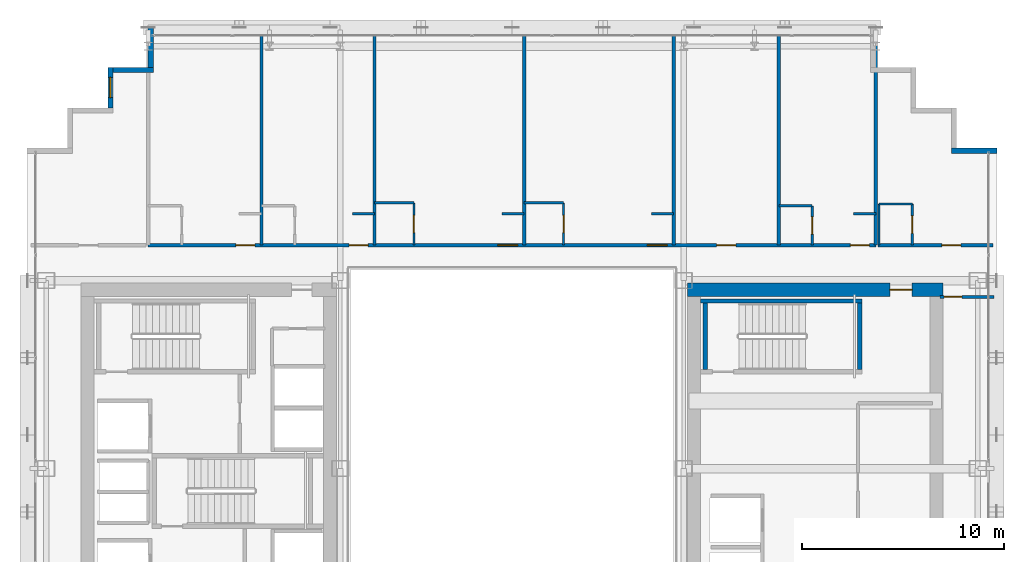
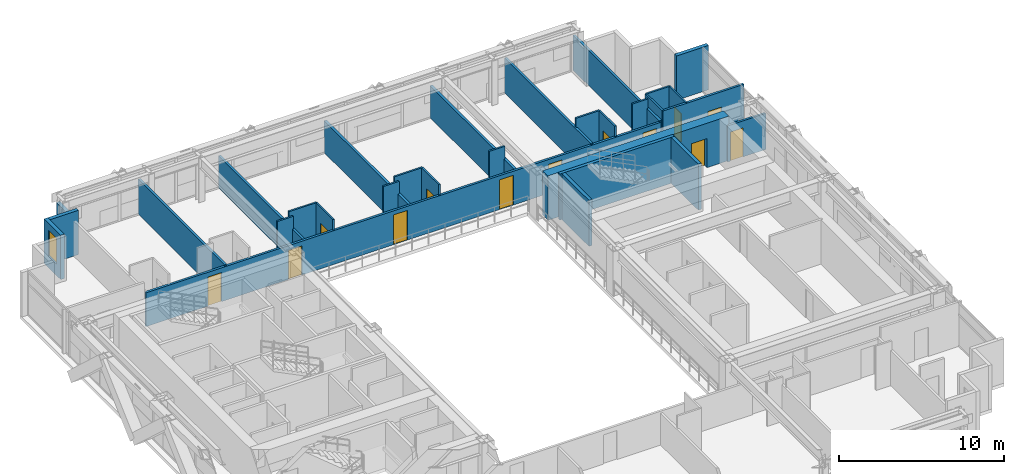
# One storey, part 31 of 36: 30 walls, 13 doors, 1 window, 14 openings.
"""IFC4 building model written with IfcOpenShell, lengths in metres."""

from ifc_helpers import new_model, si_unit, direction, frame, frame_2d, origin, place, context, subcontext, project, spatial, rectangle, extrude, source, transform, mapped, material, layer, layer_set, type_object, element, fill, save


model = new_model("IFC4")

# Units and contexts
model_context = context("Model", 3, precision=1e-05, world=origin(), true_north=direction((0.0, 1.0)))
body_context = subcontext(model_context, "Body", "Model", "MODEL_VIEW")
ifc_project = project(units=[si_unit("LENGTHUNIT", "METRE"), si_unit("AREAUNIT", "SQUARE_METRE"), si_unit("VOLUMEUNIT", "CUBIC_METRE"), si_unit("PLANEANGLEUNIT", "RADIAN"), si_unit("MASSUNIT", "GRAM", prefix="KILO")], contexts=[model_context])

# Site, building, storey
site_placement = place(None, origin())
site = spatial("IfcSite", under=ifc_project, at=site_placement, CompositionType="ELEMENT")
building_placement = place(site_placement, origin())
building = spatial("IfcBuilding", under=site, at=building_placement, Name="Ocotamira Hotel", CompositionType="ELEMENT")
storey_placement = place(building_placement, frame((0.0, 0.0, 147.60009765625)))
storey = spatial("IfcBuildingStorey", under=building, at=storey_placement, Name="L37", CompositionType="ELEMENT", Elevation=147.60009765625)

# Wall, opening, door
ifc_material_1 = material(Name="Concrete C60/75", Category="concrete")
ifc_layer_1 = layer(ifc_material_1, 0.64990234375)
ifc_layer_set_1 = layer_set([ifc_layer_1], Name="Concrete C60/75")
wall_type_1 = type_object("IfcWallType", Name="WL-CORE-650", PredefinedType="SHEAR", material=ifc_layer_set_1)
wall_1_placement = place(storey_placement, frame((40.675048828125, 37.0, 0.0), z_axis=(0.0, 0.0, 1.0), x_axis=(1.0, 0.0, 0.0)))
wall_1 = element("IfcWall", 1, at=wall_1_placement, inside=storey, type_object=wall_type_1, Name="L37 Shear Core Wall ECORE-N", PredefinedType="SHEAR", context=body_context, shape_type="SweptSolid", body=[
    extrude(rectangle(XDim=12.64990234375, YDim=0.64990234375, at=frame_2d((6.324951171875, 0.0))), origin(), (0.0, 0.0, 1.0), 3.27978515625),
])
opening_1_placement = place(wall_1_placement, frame((10.02490234375, 0.0, 0.0)))
opening_1 = element("IfcOpeningElement", 2, at=opening_1_placement, cuts=wall_1, Name="Opening D-FR1", PredefinedType="OPENING", context=body_context, shape_type="SweptSolid", body=[
    extrude(rectangle(XDim=1.10009765625, YDim=2.14990234375, at=frame_2d((0.550048828125, 1.074951171875))), frame((0.0, 0.3349609375, 0.0), z_axis=(0.0, -1.0, 0.0), x_axis=(1.0, 0.0, 0.0)), (0.0, 0.0, 1.0), 0.669921875),
])
ifc_material_2 = material(Name="Fire-rated acoustic timber-veneer door", Category="wood")
door_type_1 = type_object("IfcDoorType", Name="DR-FIRE-1100", OperationType="NOTDEFINED", PredefinedType="DOOR", material=ifc_material_2)
shared_shape_1 = source(origin(), body_context, "Body", "SweptSolid", [
    extrude(rectangle(XDim=1.10009765625, YDim=2.14990234375, at=frame_2d((0.550048828125, 1.074951171875))), frame((0.0, 0.02490234375, 0.0), z_axis=(0.0, -1.0, 0.0), x_axis=(1.0, 0.0, 0.0)), (0.0, 0.0, 1.0), 0.050048828125),
])
door_1_placement = place(opening_1_placement, origin())
door_1 = element("IfcDoor", 3, at=door_1_placement, inside=storey, type_object=door_type_1, Name="L37 Door ID-L37-ELOB-N-D [ID-L37-ELOB-N-D]", OperationType="SINGLE_SWING_LEFT", OverallHeight=2.14990234375, OverallWidth=1.10009765625, PredefinedType="DOOR", context=body_context, shape_type="MappedRepresentation", body=[
    mapped(shared_shape_1, transform((0.0, 0.0, 0.0), scale=1.0)),
])
fill(opening_1, door_1)

# Walls
ifc_material_3 = material(Name="Precast concrete C45/55", Category="concrete")
ifc_layer_2 = layer(ifc_material_3, 0.25)
ifc_layer_set_2 = layer_set([ifc_layer_2], Name="Precast concrete C45/55")
wall_type_2 = type_object("IfcWallType", Name="WL-EXT-SER-250", PredefinedType="SOLIDWALL", material=ifc_layer_set_2)
wall_2_placement = place(storey_placement, frame((56.0, 43.875, 0.0), z_axis=(0.0, 0.0, 1.0), x_axis=(-1.0, 0.0, 0.0)))
element("IfcWall", 4, at=wall_2_placement, inside=storey, type_object=wall_type_2, Name="L37 Serrated Corner Wall 07", PredefinedType="SOLIDWALL", context=body_context, shape_type="SweptSolid", body=[
    extrude(rectangle(XDim=2.25, YDim=0.25, at=frame_2d((1.125, 0.0))), origin(), (0.0, 0.0, 1.0), 3.27978515625),
])
wall_3_placement = place(storey_placement, frame((14.125, 50.0, 0.0), z_axis=(0.0, 0.0, 1.0), x_axis=(0.0, -1.0, 0.0)))
element("IfcWall", 5, at=wall_3_placement, inside=storey, type_object=wall_type_2, Name="L37 Serrated Corner Wall 13", PredefinedType="SOLIDWALL", context=body_context, shape_type="SweptSolid", body=[
    extrude(rectangle(XDim=2.0, YDim=0.25, at=frame_2d((1.0, 0.0))), origin(), (0.0, 0.0, 1.0), 2.5869140625),
])
wall_4_placement = place(storey_placement, frame((14.25, 47.875, 0.0), z_axis=(0.0, 0.0, 1.0), x_axis=(-1.0, 0.0, 0.0)))
element("IfcWall", 6, at=wall_4_placement, inside=storey, type_object=wall_type_2, Name="L37 Serrated Corner Wall 14", PredefinedType="SOLIDWALL", context=body_context, shape_type="SweptSolid", body=[
    extrude(rectangle(XDim=2.0, YDim=0.25, at=frame_2d((1.0, 0.0))), origin(), (0.0, 0.0, 1.0), 3.27978515625),
])

# Wall, opening, window
wall_5_placement = place(storey_placement, frame((12.125, 48.0, 0.0), z_axis=(0.0, 0.0, 1.0), x_axis=(0.0, -1.0, 0.0)))
wall_5 = element("IfcWall", 7, at=wall_5_placement, inside=storey, type_object=wall_type_2, Name="L37 Serrated Corner Wall 15", PredefinedType="SOLIDWALL", context=body_context, shape_type="SweptSolid", body=[
    extrude(rectangle(XDim=2.0, YDim=0.25, at=frame_2d((1.0, 0.0))), origin(), (0.0, 0.0, 1.0), 3.27978515625),
])
opening_2_placement = place(wall_5_placement, frame((0.5, 0.0, 0.85009765625)))
opening_2 = element("IfcOpeningElement", 8, at=opening_2_placement, cuts=wall_5, Name="Opening WN-2", PredefinedType="OPENING", context=body_context, shape_type="SweptSolid", body=[
    extrude(rectangle(XDim=1.0, YDim=1.89990234375, at=frame_2d((0.5, 0.949951171875))), frame((0.0, 0.135009765625, 0.0), z_axis=(0.0, -1.0, 0.0), x_axis=(1.0, 0.0, 0.0)), (0.0, 0.0, 1.0), 0.27001953125),
])
ifc_material_4 = material(Name="Double-silver low-E solar glass", Category="glass")
window_type = type_object("IfcWindowType", Name="WIN-SER-1100", PartitioningType="SINGLE_PANEL", PredefinedType="WINDOW", material=ifc_material_4)
shared_shape_2 = source(origin(), body_context, "Body", "SweptSolid", [
    extrude(rectangle(XDim=1.0, YDim=1.89990234375, at=frame_2d((0.5, 0.949951171875))), frame((0.0, 0.030029296875, 0.0), z_axis=(0.0, -1.0, 0.0), x_axis=(1.0, 0.0, 0.0)), (0.0, 0.0, 1.0), 0.06005859375),
])
window_placement = place(opening_2_placement, origin())
window = element("IfcWindow", 9, at=window_placement, inside=storey, type_object=window_type, Name="L37 Serrated Corner Window 15", OverallHeight=1.89990234375, OverallWidth=1.0, PartitioningType="SINGLE_PANEL", PredefinedType="WINDOW", context=body_context, shape_type="MappedRepresentation", body=[
    mapped(shared_shape_2, transform((0.0, 0.0, 0.0), scale=1.0)),
])
fill(opening_2, window)

# Wall, opening, door
ifc_material_5 = material(Name="Acoustic double-layer fire gypsum board partition", Category="gypsum")
ifc_layer_3 = layer(ifc_material_5, 0.159912109375)
ifc_layer_set_3 = layer_set([ifc_layer_3], Name="Acoustic double-layer fire gypsum board partition")
wall_type_3 = type_object("IfcWallType", Name="WL-FIRE-160", PredefinedType="PARTITIONING", material=ifc_layer_set_3)
wall_6_placement = place(storey_placement, frame((50.1201171875, 39.199951171875, 0.0), z_axis=(0.0, 0.0, 1.0), x_axis=(1.0, 0.0, 0.0)))
wall_6 = element("IfcWall", 10, at=wall_6_placement, inside=storey, type_object=wall_type_3, Name="L37 Interior Wall PW-L37-Z2E-CNE-CW", PredefinedType="PARTITIONING", context=body_context, shape_type="SweptSolid", body=[
    extrude(rectangle(XDim=5.679931640625, YDim=0.159912109375, at=frame_2d((2.83984375, 0.0))), origin(), (0.0, 0.0, 1.0), 3.27978515625),
])
opening_3_placement = place(wall_6_placement, frame((3.14990234375, 0.0, 0.0)))
opening_3 = element("IfcOpeningElement", 11, at=opening_3_placement, cuts=wall_6, Name="Opening D-GR1", PredefinedType="OPENING", context=body_context, shape_type="SweptSolid", body=[
    extrude(rectangle(XDim=0.93994140625, YDim=2.14990234375, at=frame_2d((0.469970703125, 1.074951171875))), frame((0.0, 0.08984375, 0.0), z_axis=(0.0, -1.0, 0.0), x_axis=(1.0, 0.0, 0.0)), (0.0, 0.0, 1.0), 0.179931640625),
])
ifc_material_6 = material(Name="Solid-core walnut suite entrance fire door", Category="wood")
door_type_2 = type_object("IfcDoorType", Name="DR-GUEST-940", OperationType="NOTDEFINED", PredefinedType="DOOR", material=ifc_material_6)
shared_shape_3 = source(origin(), body_context, "Body", "SweptSolid", [
    extrude(rectangle(XDim=0.93994140625, YDim=2.14990234375, at=frame_2d((0.469970703125, 1.074951171875))), frame((0.0, 0.02490234375, 0.0), z_axis=(0.0, -1.0, 0.0), x_axis=(1.0, 0.0, 0.0)), (0.0, 0.0, 1.0), 0.050048828125),
])
door_2_placement = place(opening_3_placement, origin())
door_2 = element("IfcDoor", 12, at=door_2_placement, inside=storey, type_object=door_type_2, Name="L37 Door ID-L37-Z2E-CNE-CD [ID-L37-Z2E-CNE-CD]", OperationType="SINGLE_SWING_RIGHT", OverallHeight=2.14990234375, OverallWidth=0.93994140625, PredefinedType="DOOR", context=body_context, shape_type="MappedRepresentation", body=[
    mapped(shared_shape_3, transform((0.0, 0.0, 0.0), scale=1.0)),
])
fill(opening_3, door_2)

# Wall, openings, doors
wall_7_placement = place(storey_placement, frame((14.0, 39.199951171875, 0.0), z_axis=(0.0, 0.0, 1.0), x_axis=(1.0, 0.0, 0.0)))
wall_7 = element("IfcWall", 13, at=wall_7_placement, inside=storey, type_object=wall_type_3, Name="L37 Interior Wall PW-L37-Z2EN-CORRW", PredefinedType="PARTITIONING", context=body_context, shape_type="SweptSolid", body=[
    extrude(rectangle(XDim=36.0, YDim=0.159912109375, at=frame_2d((18.0, 0.0))), origin(), (0.0, 0.0, 1.0), 2.5009765625),
])
opening_4_placement = place(wall_7_placement, frame((4.340087890625, 0.0, 0.0)))
opening_4 = element("IfcOpeningElement", 14, at=opening_4_placement, cuts=wall_7, Name="Opening D-GR1", PredefinedType="OPENING", context=body_context, shape_type="SweptSolid", body=[
    extrude(rectangle(XDim=0.93994140625, YDim=2.14990234375, at=frame_2d((0.469970703125, 1.074951171875))), frame((0.0, 0.08984375, 0.0), z_axis=(0.0, -1.0, 0.0), x_axis=(1.0, 0.0, 0.0)), (0.0, 0.0, 1.0), 0.179931640625),
])
opening_5_placement = place(wall_7_placement, frame((9.93994140625, 0.0, 0.0)))
opening_5 = element("IfcOpeningElement", 15, at=opening_5_placement, cuts=wall_7, Name="Opening D-GR1", PredefinedType="OPENING", context=body_context, shape_type="SweptSolid", body=[
    extrude(rectangle(XDim=0.93994140625, YDim=2.14990234375, at=frame_2d((0.469970703125, 1.074951171875))), frame((0.0, 0.08984375, 0.0), z_axis=(0.0, -1.0, 0.0), x_axis=(1.0, 0.0, 0.0)), (0.0, 0.0, 1.0), 0.179931640625),
])
opening_6_placement = place(wall_7_placement, frame((17.300048828125, 0.0, 0.0)))
opening_6 = element("IfcOpeningElement", 16, at=opening_6_placement, cuts=wall_7, Name="Opening D-GR2", PredefinedType="OPENING", context=body_context, shape_type="SweptSolid", body=[
    extrude(rectangle(XDim=0.97998046875, YDim=2.199951171875, at=frame_2d((0.489990234375, 1.10009765625))), frame((0.0, 0.08984375, 0.0), z_axis=(0.0, -1.0, 0.0), x_axis=(1.0, 0.0, 0.0)), (0.0, 0.0, 1.0), 0.179931640625),
])
opening_7_placement = place(wall_7_placement, frame((24.699951171875, 0.0, 0.0)))
opening_7 = element("IfcOpeningElement", 17, at=opening_7_placement, cuts=wall_7, Name="Opening D-GR2", PredefinedType="OPENING", context=body_context, shape_type="SweptSolid", body=[
    extrude(rectangle(XDim=0.97998046875, YDim=2.199951171875, at=frame_2d((0.489990234375, 1.10009765625))), frame((0.0, 0.08984375, 0.0), z_axis=(0.0, -1.0, 0.0), x_axis=(1.0, 0.0, 0.0)), (0.0, 0.0, 1.0), 0.179931640625),
])
opening_8_placement = place(wall_7_placement, frame((28.1201171875, 0.0, 0.0)))
opening_8 = element("IfcOpeningElement", 18, at=opening_8_placement, cuts=wall_7, Name="Opening D-SV4", PredefinedType="OPENING", context=body_context, shape_type="SweptSolid", body=[
    extrude(rectangle(XDim=0.9599609375, YDim=2.14990234375, at=frame_2d((0.47998046875, 1.074951171875))), frame((0.0, 0.08984375, 0.0), z_axis=(0.0, -1.0, 0.0), x_axis=(1.0, 0.0, 0.0)), (0.0, 0.0, 1.0), 0.179931640625),
])
opening_9_placement = place(wall_7_placement, frame((34.739990234375, 0.0, 0.0)))
opening_9 = element("IfcOpeningElement", 19, at=opening_9_placement, cuts=wall_7, Name="Opening D-GR1", PredefinedType="OPENING", context=body_context, shape_type="SweptSolid", body=[
    extrude(rectangle(XDim=0.93994140625, YDim=2.14990234375, at=frame_2d((0.469970703125, 1.074951171875))), frame((0.0, 0.08984375, 0.0), z_axis=(0.0, -1.0, 0.0), x_axis=(1.0, 0.0, 0.0)), (0.0, 0.0, 1.0), 0.179931640625),
])
ifc_material_7 = material(Name="Fire-rated accessible walnut salon door", Category="wood")
door_type_3 = type_object("IfcDoorType", Name="DR-SERV-960", OperationType="NOTDEFINED", PredefinedType="DOOR", material=ifc_material_7)
shared_shape_4 = source(origin(), body_context, "Body", "SweptSolid", [
    extrude(rectangle(XDim=0.9599609375, YDim=2.14990234375, at=frame_2d((0.47998046875, 1.074951171875))), frame((0.0, 0.02490234375, 0.0), z_axis=(0.0, -1.0, 0.0), x_axis=(1.0, 0.0, 0.0)), (0.0, 0.0, 1.0), 0.050048828125),
])
door_3_placement = place(opening_8_placement, origin())
door_3 = element("IfcDoor", 20, at=door_3_placement, inside=storey, type_object=door_type_3, Name="L37 Door ID-L37-Z2EN-AMD5 [ID-L37-Z2EN-AMD5]", OperationType="SINGLE_SWING_LEFT", OverallHeight=2.14990234375, OverallWidth=0.9599609375, PredefinedType="DOOR", context=body_context, shape_type="MappedRepresentation", body=[
    mapped(shared_shape_4, transform((0.0, 0.0, 0.0), scale=1.0)),
])
fill(opening_8, door_3)
door_4_placement = place(opening_4_placement, origin())
door_4 = element("IfcDoor", 21, at=door_4_placement, inside=storey, type_object=door_type_2, Name="L37 Door ID-L37-Z2EN-RMD1 [ID-L37-Z2EN-RMD1]", OperationType="SINGLE_SWING_LEFT", OverallHeight=2.14990234375, OverallWidth=0.93994140625, PredefinedType="DOOR", context=body_context, shape_type="MappedRepresentation", body=[
    mapped(shared_shape_3, transform((0.0, 0.0, 0.0), scale=1.0)),
])
fill(opening_4, door_4)
door_5_placement = place(opening_5_placement, origin())
door_5 = element("IfcDoor", 22, at=door_5_placement, inside=storey, type_object=door_type_2, Name="L37 Door ID-L37-Z2EN-RMD2 [ID-L37-Z2EN-RMD2]", OperationType="SINGLE_SWING_RIGHT", OverallHeight=2.14990234375, OverallWidth=0.93994140625, PredefinedType="DOOR", context=body_context, shape_type="MappedRepresentation", body=[
    mapped(shared_shape_3, transform((0.0, 0.0, 0.0), scale=1.0)),
])
fill(opening_5, door_5)
door_6_placement = place(opening_9_placement, origin())
door_6 = element("IfcDoor", 23, at=door_6_placement, inside=storey, type_object=door_type_2, Name="L37 Door ID-L37-Z2EN-RMD6 [ID-L37-Z2EN-RMD6]", OperationType="SINGLE_SWING_RIGHT", OverallHeight=2.14990234375, OverallWidth=0.93994140625, PredefinedType="DOOR", context=body_context, shape_type="MappedRepresentation", body=[
    mapped(shared_shape_3, transform((0.0, 0.0, 0.0), scale=1.0)),
])
fill(opening_9, door_6)
ifc_material_8 = material(Name="Solid-core walnut grand-suite entrance fire door", Category="wood")
door_type_4 = type_object("IfcDoorType", Name="DR-GUEST-980", OperationType="NOTDEFINED", PredefinedType="DOOR", material=ifc_material_8)
shared_shape_5 = source(origin(), body_context, "Body", "SweptSolid", [
    extrude(rectangle(XDim=0.97998046875, YDim=2.199951171875, at=frame_2d((0.489990234375, 1.10009765625))), frame((0.0, 0.02490234375, 0.0), z_axis=(0.0, -1.0, 0.0), x_axis=(1.0, 0.0, 0.0)), (0.0, 0.0, 1.0), 0.050048828125),
])
door_7_placement = place(opening_6_placement, origin())
door_7 = element("IfcDoor", 24, at=door_7_placement, inside=storey, type_object=door_type_4, Name="L37 Door ID-L37-Z2EN-RMD3 [ID-L37-Z2EN-RMD3]", OperationType="SINGLE_SWING_LEFT", OverallHeight=2.199951171875, OverallWidth=0.97998046875, PredefinedType="DOOR", context=body_context, shape_type="MappedRepresentation", body=[
    mapped(shared_shape_5, transform((0.0, 0.0, 0.0), scale=1.0)),
])
fill(opening_6, door_7)
door_8_placement = place(opening_7_placement, origin())
door_8 = element("IfcDoor", 25, at=door_8_placement, inside=storey, type_object=door_type_4, Name="L37 Door ID-L37-Z2EN-RMD4 [ID-L37-Z2EN-RMD4]", OperationType="SINGLE_SWING_RIGHT", OverallHeight=2.199951171875, OverallWidth=0.97998046875, PredefinedType="DOOR", context=body_context, shape_type="MappedRepresentation", body=[
    mapped(shared_shape_5, transform((0.0, 0.0, 0.0), scale=1.0)),
])
fill(opening_7, door_8)

# Wall, opening, door
ifc_material_9 = material(Name="Moisture-resistant en-suite tile and gypsum partition", Category="gypsum")
ifc_layer_4 = layer(ifc_material_9, 0.1201171875)
ifc_layer_set_4 = layer_set([ifc_layer_4], Name="Moisture-resistant en-suite tile and gypsum partition")
wall_type_4 = type_object("IfcWallType", Name="WL-PART-120", PredefinedType="PARTITIONING", material=ifc_layer_set_4)
wall_8_placement = place(storey_placement, frame((51.81005859375, 39.199951171875, 0.0), z_axis=(0.0, 0.0, 1.0), x_axis=(0.0, 1.0, 0.0)))
wall_8 = element("IfcWall", 26, at=wall_8_placement, inside=storey, type_object=wall_type_4, Name="L37 Interior Wall PW-L37-Z2E-CNE-BE", PredefinedType="PARTITIONING", context=body_context, shape_type="SweptSolid", body=[
    extrude(rectangle(XDim=2.0400390625, YDim=0.1201171875, at=frame_2d((1.02001953125, 0.0))), origin(), (0.0, 0.0, 1.0), 3.27978515625),
])
opening_10_placement = place(wall_8_placement, frame((0.590087890625, 0.0, 0.0)))
opening_10 = element("IfcOpeningElement", 27, at=opening_10_placement, cuts=wall_8, Name="Opening D-BA1", PredefinedType="OPENING", context=body_context, shape_type="SweptSolid", body=[
    extrude(rectangle(XDim=0.860107421875, YDim=2.10009765625, at=frame_2d((0.43017578125, 1.050048828125))), frame((0.0, 0.070068359375, 0.0), z_axis=(0.0, -1.0, 0.0), x_axis=(1.0, 0.0, 0.0)), (0.0, 0.0, 1.0), 0.14013671875),
])
ifc_material_10 = material(Name="Moisture-sealed en-suite timber door", Category="wood")
door_type_5 = type_object("IfcDoorType", Name="DR-BATH-860", OperationType="NOTDEFINED", PredefinedType="DOOR", material=ifc_material_10)
shared_shape_6 = source(origin(), body_context, "Body", "SweptSolid", [
    extrude(rectangle(XDim=0.860107421875, YDim=2.10009765625, at=frame_2d((0.43017578125, 1.050048828125))), frame((0.0, 0.02490234375, 0.0), z_axis=(0.0, -1.0, 0.0), x_axis=(1.0, 0.0, 0.0)), (0.0, 0.0, 1.0), 0.050048828125),
])
door_9_placement = place(opening_10_placement, origin())
door_9 = element("IfcDoor", 28, at=door_9_placement, inside=storey, type_object=door_type_5, Name="L37 Door ID-L37-Z2E-CNE-BD [ID-L37-Z2E-CNE-BD]", OperationType="SINGLE_SWING_LEFT", OverallHeight=2.10009765625, OverallWidth=0.860107421875, PredefinedType="DOOR", context=body_context, shape_type="MappedRepresentation", body=[
    mapped(shared_shape_6, transform((0.0, 0.0, 0.0), scale=1.0)),
])
fill(opening_10, door_9)

# Walls
wall_9_placement = place(storey_placement, frame((50.159912109375, 39.199951171875, 0.0), z_axis=(0.0, 0.0, 1.0), x_axis=(0.0, 1.0, 0.0)))
element("IfcWall", 29, at=wall_9_placement, inside=storey, type_object=wall_type_4, Name="L37 Interior Wall PW-L37-Z2E-CNE-BW", PredefinedType="PARTITIONING", context=body_context, shape_type="SweptSolid", body=[
    extrude(rectangle(XDim=2.0400390625, YDim=0.1201171875, at=frame_2d((1.02001953125, 0.0))), origin(), (0.0, 0.0, 1.0), 3.27978515625),
])
wall_10_placement = place(storey_placement, frame((50.159912109375, 41.239990234375, 0.0), z_axis=(0.0, 0.0, 1.0), x_axis=(1.0, 0.0, 0.0)))
element("IfcWall", 30, at=wall_10_placement, inside=storey, type_object=wall_type_4, Name="L37 Interior Wall PW-L37-Z2E-CNE-BH", PredefinedType="PARTITIONING", context=body_context, shape_type="SweptSolid", body=[
    extrude(rectangle(XDim=1.650146484375, YDim=0.1201171875, at=frame_2d((0.8251953125, 0.0))), origin(), (0.0, 0.0, 1.0), 3.27978515625),
])
wall_11_placement = place(storey_placement, frame((24.10009765625, 40.75, 0.0), z_axis=(0.0, 0.0, 1.0), x_axis=(1.0, 0.0, 0.0)))
element("IfcWall", 31, at=wall_11_placement, inside=storey, type_object=wall_type_4, Name="L37 Interior Wall PW-L37-Z2EN-DRN2", PredefinedType="PARTITIONING", context=body_context, shape_type="SweptSolid", body=[
    extrude(rectangle(XDim=1.099853515625, YDim=0.1201171875, at=frame_2d((0.5498046875, 0.0))), origin(), (0.0, 0.0, 1.0), 3.27978515625),
])

# Wall, opening, door
wall_12_placement = place(storey_placement, frame((27.14990234375, 39.199951171875, 0.0), z_axis=(0.0, 0.0, 1.0), x_axis=(0.0, 1.0, 0.0)))
wall_12 = element("IfcWall", 32, at=wall_12_placement, inside=storey, type_object=wall_type_4, Name="L37 Interior Wall PW-L37-Z2EN-BAE3", PredefinedType="PARTITIONING", context=body_context, shape_type="SweptSolid", body=[
    extrude(rectangle(XDim=2.10009765625, YDim=0.1201171875, at=frame_2d((1.050048828125, 0.0))), origin(), (0.0, 0.0, 1.0), 3.27978515625),
])
opening_11_placement = place(wall_12_placement, frame((0.6201171875, 0.0, 0.0)))
opening_11 = element("IfcOpeningElement", 33, at=opening_11_placement, cuts=wall_12, Name="Opening D-BA1", PredefinedType="OPENING", context=body_context, shape_type="SweptSolid", body=[
    extrude(rectangle(XDim=0.860107421875, YDim=2.10009765625, at=frame_2d((0.43017578125, 1.050048828125))), frame((0.0, 0.070068359375, 0.0), z_axis=(0.0, -1.0, 0.0), x_axis=(1.0, 0.0, 0.0)), (0.0, 0.0, 1.0), 0.14013671875),
])
door_10_placement = place(opening_11_placement, origin())
door_10 = element("IfcDoor", 34, at=door_10_placement, inside=storey, type_object=door_type_5, Name="L37 Door ID-L37-Z2EN-BAD3 [ID-L37-Z2EN-BAD3]", OperationType="SINGLE_SWING_RIGHT", OverallHeight=2.10009765625, OverallWidth=0.860107421875, PredefinedType="DOOR", context=body_context, shape_type="MappedRepresentation", body=[
    mapped(shared_shape_6, transform((0.0, 0.0, 0.0), scale=1.0)),
])
fill(opening_11, door_10)

# Walls
wall_13_placement = place(storey_placement, frame((25.199951171875, 41.300048828125, 0.0), z_axis=(0.0, 0.0, 1.0), x_axis=(1.0, 0.0, 0.0)))
element("IfcWall", 35, at=wall_13_placement, inside=storey, type_object=wall_type_4, Name="L37 Interior Wall PW-L37-Z2EN-BAN3", PredefinedType="PARTITIONING", context=body_context, shape_type="SweptSolid", body=[
    extrude(rectangle(XDim=1.949951171875, YDim=0.1201171875, at=frame_2d((0.97509765625, 0.0))), origin(), (0.0, 0.0, 1.0), 3.27978515625),
])
wall_14_placement = place(storey_placement, frame((31.5, 40.75, 0.0), z_axis=(0.0, 0.0, 1.0), x_axis=(1.0, 0.0, 0.0)))
element("IfcWall", 36, at=wall_14_placement, inside=storey, type_object=wall_type_4, Name="L37 Interior Wall PW-L37-Z2EN-DRN3", PredefinedType="PARTITIONING", context=body_context, shape_type="SweptSolid", body=[
    extrude(rectangle(XDim=1.10009765625, YDim=0.1201171875, at=frame_2d((0.550048828125, 0.0))), origin(), (0.0, 0.0, 1.0), 3.27978515625),
])

# Wall, opening, door
wall_15_placement = place(storey_placement, frame((34.550048828125, 39.199951171875, 0.0), z_axis=(0.0, 0.0, 1.0), x_axis=(0.0, 1.0, 0.0)))
wall_15 = element("IfcWall", 37, at=wall_15_placement, inside=storey, type_object=wall_type_4, Name="L37 Interior Wall PW-L37-Z2EN-BAE4", PredefinedType="PARTITIONING", context=body_context, shape_type="SweptSolid", body=[
    extrude(rectangle(XDim=2.10009765625, YDim=0.1201171875, at=frame_2d((1.050048828125, 0.0))), origin(), (0.0, 0.0, 1.0), 3.27978515625),
])
opening_12_placement = place(wall_15_placement, frame((0.6201171875, 0.0, 0.0)))
opening_12 = element("IfcOpeningElement", 38, at=opening_12_placement, cuts=wall_15, Name="Opening D-BA1", PredefinedType="OPENING", context=body_context, shape_type="SweptSolid", body=[
    extrude(rectangle(XDim=0.860107421875, YDim=2.10009765625, at=frame_2d((0.43017578125, 1.050048828125))), frame((0.0, 0.070068359375, 0.0), z_axis=(0.0, -1.0, 0.0), x_axis=(1.0, 0.0, 0.0)), (0.0, 0.0, 1.0), 0.14013671875),
])
door_11_placement = place(opening_12_placement, origin())
door_11 = element("IfcDoor", 39, at=door_11_placement, inside=storey, type_object=door_type_5, Name="L37 Door ID-L37-Z2EN-BAD4 [ID-L37-Z2EN-BAD4]", OperationType="SINGLE_SWING_LEFT", OverallHeight=2.10009765625, OverallWidth=0.860107421875, PredefinedType="DOOR", context=body_context, shape_type="MappedRepresentation", body=[
    mapped(shared_shape_6, transform((0.0, 0.0, 0.0), scale=1.0)),
])
fill(opening_12, door_11)

# Walls
wall_16_placement = place(storey_placement, frame((32.60009765625, 41.300048828125, 0.0), z_axis=(0.0, 0.0, 1.0), x_axis=(1.0, 0.0, 0.0)))
element("IfcWall", 40, at=wall_16_placement, inside=storey, type_object=wall_type_4, Name="L37 Interior Wall PW-L37-Z2EN-BAN4", PredefinedType="PARTITIONING", context=body_context, shape_type="SweptSolid", body=[
    extrude(rectangle(XDim=1.949951171875, YDim=0.1201171875, at=frame_2d((0.97509765625, 0.0))), origin(), (0.0, 0.0, 1.0), 3.27978515625),
])
wall_17_placement = place(storey_placement, frame((38.89990234375, 40.75, 0.0), z_axis=(0.0, 0.0, 1.0), x_axis=(1.0, 0.0, 0.0)))
element("IfcWall", 41, at=wall_17_placement, inside=storey, type_object=wall_type_4, Name="L37 Interior Wall PW-L37-Z2EN-DRN4", PredefinedType="PARTITIONING", context=body_context, shape_type="SweptSolid", body=[
    extrude(rectangle(XDim=1.10009765625, YDim=0.1201171875, at=frame_2d((0.550048828125, 0.0))), origin(), (0.0, 0.0, 1.0), 3.27978515625),
])

# Wall, opening, door
wall_18_placement = place(storey_placement, frame((46.85009765625, 39.199951171875, 0.0), z_axis=(0.0, 0.0, 1.0), x_axis=(0.0, 1.0, 0.0)))
wall_18 = element("IfcWall", 42, at=wall_18_placement, inside=storey, type_object=wall_type_4, Name="L37 Interior Wall PW-L37-Z2EN-BAE6", PredefinedType="PARTITIONING", context=body_context, shape_type="SweptSolid", body=[
    extrude(rectangle(XDim=1.949951171875, YDim=0.1201171875, at=frame_2d((0.97509765625, 0.0))), origin(), (0.0, 0.0, 1.0), 3.27978515625),
])
opening_13_placement = place(wall_18_placement, frame((0.544921875, 0.0, 0.0)))
opening_13 = element("IfcOpeningElement", 43, at=opening_13_placement, cuts=wall_18, Name="Opening D-BA1", PredefinedType="OPENING", context=body_context, shape_type="SweptSolid", body=[
    extrude(rectangle(XDim=0.860107421875, YDim=2.10009765625, at=frame_2d((0.43017578125, 1.050048828125))), frame((0.0, 0.070068359375, 0.0), z_axis=(0.0, -1.0, 0.0), x_axis=(1.0, 0.0, 0.0)), (0.0, 0.0, 1.0), 0.14013671875),
])
door_12_placement = place(opening_13_placement, origin())
door_12 = element("IfcDoor", 44, at=door_12_placement, inside=storey, type_object=door_type_5, Name="L37 Door ID-L37-Z2EN-BAD6 [ID-L37-Z2EN-BAD6]", OperationType="SINGLE_SWING_LEFT", OverallHeight=2.10009765625, OverallWidth=0.860107421875, PredefinedType="DOOR", context=body_context, shape_type="MappedRepresentation", body=[
    mapped(shared_shape_6, transform((0.0, 0.0, 0.0), scale=1.0)),
])
fill(opening_13, door_12)

# Walls
wall_19_placement = place(storey_placement, frame((45.199951171875, 41.14990234375, 0.0), z_axis=(0.0, 0.0, 1.0), x_axis=(1.0, 0.0, 0.0)))
element("IfcWall", 45, at=wall_19_placement, inside=storey, type_object=wall_type_4, Name="L37 Interior Wall PW-L37-Z2EN-BAN6", PredefinedType="PARTITIONING", context=body_context, shape_type="SweptSolid", body=[
    extrude(rectangle(XDim=1.650146484375, YDim=0.1201171875, at=frame_2d((0.8251953125, 0.0))), origin(), (0.0, 0.0, 1.0), 3.27978515625),
])
wall_20_placement = place(storey_placement, frame((48.89990234375, 40.75, 0.0), z_axis=(0.0, 0.0, 1.0), x_axis=(1.0, 0.0, 0.0)))
element("IfcWall", 46, at=wall_20_placement, inside=storey, type_object=wall_type_4, Name="L37 Interior Wall PW-L37-Z2EN-DRN6", PredefinedType="PARTITIONING", context=body_context, shape_type="SweptSolid", body=[
    extrude(rectangle(XDim=1.10009765625, YDim=0.1201171875, at=frame_2d((0.550048828125, 0.0))), origin(), (0.0, 0.0, 1.0), 3.27978515625),
])

# Wall, opening, door
ifc_material_11 = material(Name="Acoustic hospitality gypsum board partition", Category="gypsum")
ifc_layer_5 = layer(ifc_material_11, 0.14990234375)
ifc_layer_set_5 = layer_set([ifc_layer_5], Name="Acoustic hospitality gypsum board partition")
wall_type_5 = type_object("IfcWallType", Name="WL-PART-150", PredefinedType="PARTITIONING", material=ifc_layer_set_5)
wall_21_placement = place(storey_placement, frame((53.179931640625, 36.639892578125, 0.0), z_axis=(0.0, 0.0, 1.0), x_axis=(1.0, 0.0, 0.0)))
wall_21 = element("IfcWall", 47, at=wall_21_placement, inside=storey, type_object=wall_type_5, Name="L37 Interior Wall PW-L37-Z2E-EF-WN", PredefinedType="PARTITIONING", context=body_context, shape_type="SweptSolid", body=[
    extrude(rectangle(XDim=2.66015625, YDim=0.14990234375, at=frame_2d((1.330078125, 0.0))), origin(), (0.0, 0.0, 1.0), 2.662841796875),
])
opening_14_placement = place(wall_21_placement, frame((0.199951171875, 0.0, 0.0)))
opening_14 = element("IfcOpeningElement", 48, at=opening_14_placement, cuts=wall_21, Name="Opening D-SV2", PredefinedType="OPENING", context=body_context, shape_type="SweptSolid", body=[
    extrude(rectangle(XDim=0.8798828125, YDim=2.14990234375, at=frame_2d((0.43994140625, 1.074951171875))), frame((0.0, 0.0849609375, 0.0), z_axis=(0.0, -1.0, 0.0), x_axis=(1.0, 0.0, 0.0)), (0.0, 0.0, 1.0), 0.169921875),
])
ifc_material_12 = material(Name="Fire-rated painted steel service door", Category="steel")
door_type_6 = type_object("IfcDoorType", Name="DR-SERV-880", OperationType="NOTDEFINED", PredefinedType="DOOR", material=ifc_material_12)
shared_shape_7 = source(origin(), body_context, "Body", "SweptSolid", [
    extrude(rectangle(XDim=0.8798828125, YDim=2.14990234375, at=frame_2d((0.43994140625, 1.074951171875))), frame((0.0, 0.02490234375, 0.0), z_axis=(0.0, -1.0, 0.0), x_axis=(1.0, 0.0, 0.0)), (0.0, 0.0, 1.0), 0.050048828125),
])
door_13_placement = place(opening_14_placement, origin())
door_13 = element("IfcDoor", 49, at=door_13_placement, inside=storey, type_object=door_type_6, Name="L37 Door ID-L37-Z2E-EF-DN [ID-L37-Z2E-EF-DN]", OperationType="SINGLE_SWING_LEFT", OverallHeight=2.14990234375, OverallWidth=0.8798828125, PredefinedType="DOOR", context=body_context, shape_type="MappedRepresentation", body=[
    mapped(shared_shape_7, transform((0.0, 0.0, 0.0), scale=1.0)),
])
fill(opening_14, door_13)

# Walls
ifc_material_13 = material(Name="Acoustic double-stud hospitality gypsum partition", Category="gypsum")
ifc_layer_6 = layer(ifc_material_13, 0.159912109375)
ifc_layer_set_6 = layer_set([ifc_layer_6], Name="Acoustic double-stud hospitality gypsum partition")
wall_type_6 = type_object("IfcWallType", Name="WL-PART-160", PredefinedType="PARTITIONING", material=ifc_layer_set_6)
for number, where, z_axis, x_axis, name in (
    (50, (50.0, 39.199951171875, 0.0), (0.0, 0.0, 1.0), (0.0, 1.0, 0.0), "L37 Interior Wall PW-L37-Z2EN-PWEND"),
    (51, (19.60009765625, 39.199951171875, 0.0), (0.0, 0.0, 1.0), (0.0, 1.0, 0.0), "L37 Interior Wall PW-L37-Z2EN-PW1"),
):
    element("IfcWall", number, at=place(storey_placement, frame(where, z_axis=z_axis, x_axis=x_axis)), inside=storey, type_object=wall_type_6, Name=name, PredefinedType="PARTITIONING", context=body_context, shape_type="SweptSolid", body=[
        extrude(rectangle(XDim=10.43994140625, YDim=0.159912109375, at=frame_2d((5.219970703125, 0.0))), origin(), (0.0, 0.0, 1.0), 2.5869140625),
    ])
wall_22_placement = place(storey_placement, frame((25.199951171875, 39.199951171875, 0.0), z_axis=(0.0, 0.0, 1.0), x_axis=(0.0, 1.0, 0.0)))
element("IfcWall", 52, at=wall_22_placement, inside=storey, type_object=wall_type_6, Name="L37 Interior Wall PW-L37-Z2EN-PW2", PredefinedType="PARTITIONING", context=body_context, shape_type="SweptSolid", body=[
    extrude(rectangle(XDim=10.43994140625, YDim=0.159912109375, at=frame_2d((5.219970703125, 0.0))), origin(), (0.0, 0.0, 1.0), 2.35986328125),
])
wall_23_placement = place(storey_placement, frame((45.199951171875, 39.199951171875, 0.0), z_axis=(0.0, 0.0, 1.0), x_axis=(0.0, 1.0, 0.0)))
element("IfcWall", 53, at=wall_23_placement, inside=storey, type_object=wall_type_6, Name="L37 Interior Wall PW-L37-Z2EN-PW5", PredefinedType="PARTITIONING", context=body_context, shape_type="SweptSolid", body=[
    extrude(rectangle(XDim=10.43994140625, YDim=0.159912109375, at=frame_2d((5.219970703125, 0.0))), origin(), (0.0, 0.0, 1.0), 2.5869140625),
])
ifc_material_14 = material(Name="Double-stud suite party gypsum partition", Category="gypsum")
ifc_layer_7 = layer(ifc_material_14, 0.175048828125)
ifc_layer_set_7 = layer_set([ifc_layer_7], Name="Double-stud suite party gypsum partition")
wall_type_7 = type_object("IfcWallType", Name="WL-PART-175", PredefinedType="PARTITIONING", material=ifc_layer_set_7)
for number, where, z_axis, x_axis, name in (
    (54, (32.60009765625, 39.199951171875, 0.0), (0.0, 0.0, 1.0), (0.0, 1.0, 0.0), "L37 Interior Wall PW-L37-Z2EN-PW3"),
    (55, (40.0, 39.199951171875, 0.0), (0.0, 0.0, 1.0), (0.0, 1.0, 0.0), "L37 Interior Wall PW-L37-Z2EN-PW4"),
):
    element("IfcWall", number, at=place(storey_placement, frame(where, z_axis=z_axis, x_axis=x_axis)), inside=storey, type_object=wall_type_7, Name=name, PredefinedType="PARTITIONING", context=body_context, shape_type="SweptSolid", body=[
        extrude(rectangle(XDim=10.43994140625, YDim=0.175048828125, at=frame_2d((5.219970703125, 0.0))), origin(), (0.0, 0.0, 1.0), 2.35986328125),
    ])
ifc_material_15 = material(Name="Concrete C50/60", Category="concrete")
ifc_layer_8 = layer(ifc_material_15, 0.219970703125)
ifc_layer_set_8 = layer_set([ifc_layer_8], Name="Concrete C50/60")
wall_type_8 = type_object("IfcWallType", Name="WL-STAIR-220", PredefinedType="SHEAR", material=ifc_layer_set_8)
wall_24_placement = place(storey_placement, frame((41.324951171875, 36.43994140625, 0.0), z_axis=(0.0, 0.0, 1.0), x_axis=(1.0, 0.0, 0.0)))
element("IfcWall", 56, at=wall_24_placement, inside=storey, type_object=wall_type_8, Name="L37 Stair Shaft Structural Wall ST-4-N", PredefinedType="SHEAR", context=body_context, shape_type="SweptSolid", body=[
    extrude(rectangle(XDim=7.985107421875, YDim=0.219970703125, at=frame_2d((3.99267578125, 0.0))), origin(), (0.0, 0.0, 1.0), 3.39990234375),
])
for number, where, z_axis, x_axis, name in (
    (57, (41.56005859375, 33.050048828125, 0.0), (0.0, 0.0, 1.0), (0.0, 1.0, 0.0), "L37 Stair Shaft Structural Wall ST-4-W"),
    (58, (49.199951171875, 33.050048828125, 0.0), (0.0, 0.0, 1.0), (0.0, 1.0, 0.0), "L37 Stair Shaft Structural Wall ST-4-E"),
):
    element("IfcWall", number, at=place(storey_placement, frame(where, z_axis=z_axis, x_axis=x_axis)), inside=storey, type_object=wall_type_8, Name=name, PredefinedType="SHEAR", context=body_context, shape_type="SweptSolid", body=[
        extrude(rectangle(XDim=3.280029296875, YDim=0.219970703125, at=frame_2d((1.64013671875, 0.0))), origin(), (0.0, 0.0, 1.0), 3.39990234375),
    ])

save(model, "model.ifc")
